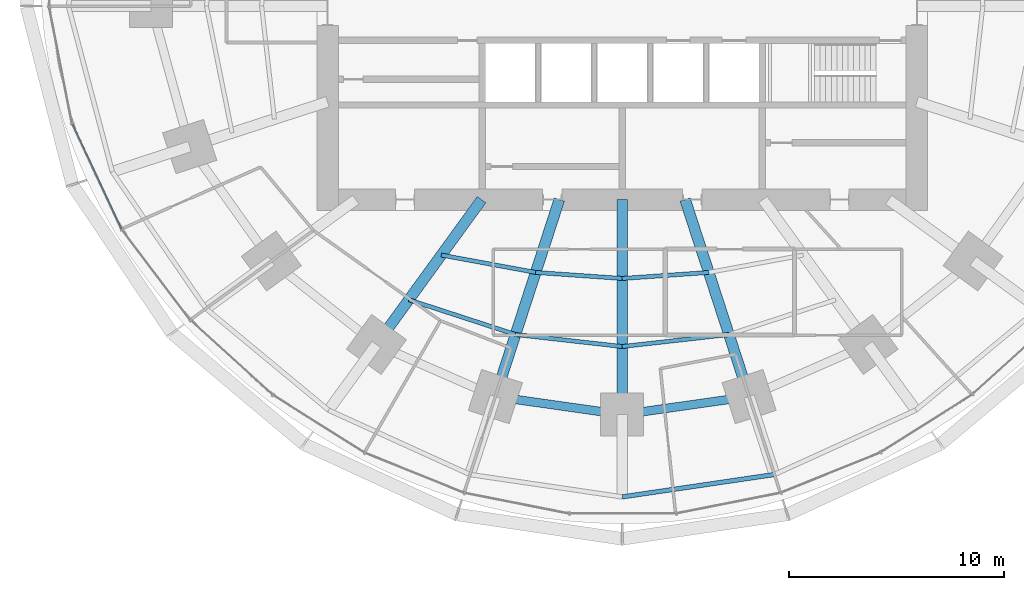
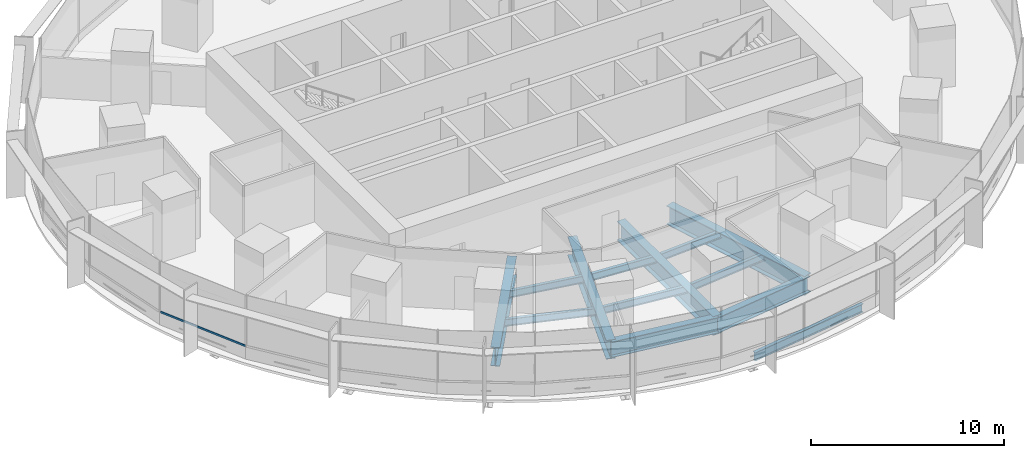
# One storey, part 3 of 15: 13 beams, 1 member, 1 element without a shape of its own.
"""IFC4 building model written with IfcOpenShell, lengths in metres."""

from ifc_helpers import new_model, si_unit, direction, frame, origin, origin_2d, place, context, subcontext, project, spatial, rectangle, i_section, extrude, material, material_profile, profile_set, type_object, element, aggregate, save


model = new_model("IFC4")

# Units and contexts
model_context = context("Model", 3, precision=1e-05, world=origin(), true_north=direction((0.0, 1.0)))
body_context = subcontext(model_context, "Body", "Model", "MODEL_VIEW")
ifc_project = project(units=[si_unit("LENGTHUNIT", "METRE"), si_unit("AREAUNIT", "SQUARE_METRE"), si_unit("VOLUMEUNIT", "CUBIC_METRE"), si_unit("PLANEANGLEUNIT", "RADIAN"), si_unit("MASSUNIT", "GRAM", prefix="KILO")], contexts=[model_context])

# Site, building, storey
site_placement = place(None, origin())
site = spatial("IfcSite", under=ifc_project, at=site_placement, CompositionType="ELEMENT")
building_placement = place(site_placement, origin())
building = spatial("IfcBuilding", under=site, at=building_placement, Name="Marramba Exchange Tower", CompositionType="ELEMENT")
storey_placement = place(building_placement, frame((0.0, 0.0, 61.60009765625)))
storey = spatial("IfcBuildingStorey", under=building, at=storey_placement, Name="L14", CompositionType="ELEMENT", Elevation=61.60009765625)

# Beams
ifc_material_1 = material(Name="Steel AS/NZS 3679.1 grade 300", Category="steel")
ifc_material_profile_1 = material_profile(ifc_material_1, i_section(OverallWidth=0.18994140625, OverallDepth=0.4541015625, WebThickness=0.008544921875, FlangeThickness=0.0126953125, FilletRadius=0.011474609375, at=origin_2d()), Name="460UB67.1")
ifc_profile_set_1 = profile_set([ifc_material_profile_1], Name="Steel AS/NZS 3679.1 grade 300")
beam_type_1 = type_object("IfcBeamType", Name="Floor joist 460UB67.1", PredefinedType="JOIST", material=ifc_profile_set_1)
beam_1_placement = place(storey_placement, frame((-8.41162109375, -11.57763671875, -0.38720703125), z_axis=(0.983455754421, -0.181148500119, 0.0), x_axis=(0.181148500119, 0.983455754421, 0.0)))
element("IfcBeam", 1, at=beam_1_placement, inside=storey, type_object=beam_type_1, Name="Joist L14 bay 14 row 1", PredefinedType="JOIST", context=body_context, shape_type="SweptSolid", body=[
    extrude(i_section(OverallWidth=0.18994140625, OverallDepth=0.4541015625, WebThickness=0.008544921875, FlangeThickness=0.0126953125, FilletRadius=0.011474609375, at=origin_2d()), origin(), (0.0, 0.0, 1.0), 4.4609375),
])
beam_2_placement = place(storey_placement, frame((-9.9208984375, -13.655029296875, -0.38720703125), z_axis=(0.950764024931, -0.309915744834, 0.0), x_axis=(0.309915744834, 0.950764024931, 0.0)))
element("IfcBeam", 2, at=beam_2_placement, inside=storey, type_object=beam_type_1, Name="Joist L14 bay 14 row 2", PredefinedType="JOIST", context=body_context, shape_type="SweptSolid", body=[
    extrude(i_section(OverallWidth=0.18994140625, OverallDepth=0.4541015625, WebThickness=0.008544921875, FlangeThickness=0.0126953125, FilletRadius=0.011474609375, at=origin_2d()), origin(), (0.0, 0.0, 1.0), 5.2158203125),
])
beam_3_placement = place(storey_placement, frame((-4.0244140625, -12.3857421875, -0.38720703125), z_axis=(0.99759625901, -0.069294328838, 0.0), x_axis=(0.069294328838, 0.99759625901, 0.0)))
element("IfcBeam", 3, at=beam_3_placement, inside=storey, type_object=beam_type_1, Name="Joist L14 bay 15 row 1", PredefinedType="JOIST", context=body_context, shape_type="SweptSolid", body=[
    extrude(i_section(OverallWidth=0.18994140625, OverallDepth=0.4541015625, WebThickness=0.008544921875, FlangeThickness=0.0126953125, FilletRadius=0.011474609375, at=origin_2d()), origin(), (0.0, 0.0, 1.0), 4.0341796875),
])
beam_4_placement = place(storey_placement, frame((-4.9619140625, -15.271484375, -0.38720703125), z_axis=(0.993712018573, -0.111966174106, 0.0), x_axis=(0.111966174106, 0.993712018573, 0.0)))
element("IfcBeam", 4, at=beam_4_placement, inside=storey, type_object=beam_type_1, Name="Joist L14 bay 15 row 2", PredefinedType="JOIST", context=body_context, shape_type="SweptSolid", body=[
    extrude(i_section(OverallWidth=0.18994140625, OverallDepth=0.4541015625, WebThickness=0.008544921875, FlangeThickness=0.0126953125, FilletRadius=0.011474609375, at=origin_2d()), origin(), (0.0, 0.0, 1.0), 4.993408203125),
])
beam_5_placement = place(storey_placement, frame((0.0, -12.665283203125, -0.38720703125), z_axis=(0.99759625901, 0.069294328838, 0.0), x_axis=(-0.069294328838, 0.99759625901, 0.0)))
element("IfcBeam", 5, at=beam_5_placement, inside=storey, type_object=beam_type_1, Name="Joist L14 bay 16 row 1", PredefinedType="JOIST", context=body_context, shape_type="SweptSolid", body=[
    extrude(i_section(OverallWidth=0.18994140625, OverallDepth=0.4541015625, WebThickness=0.008544921875, FlangeThickness=0.0126953125, FilletRadius=0.011474609375, at=origin_2d()), origin(), (0.0, 0.0, 1.0), 4.0341796875),
])
beam_6_placement = place(storey_placement, frame((0.0, -15.83056640625, -0.38720703125), z_axis=(0.993712018573, 0.111966174106, 0.0), x_axis=(-0.111966174106, 0.993712018573, 0.0)))
element("IfcBeam", 6, at=beam_6_placement, inside=storey, type_object=beam_type_1, Name="Joist L14 bay 16 row 2", PredefinedType="JOIST", context=body_context, shape_type="SweptSolid", body=[
    extrude(i_section(OverallWidth=0.18994140625, OverallDepth=0.4541015625, WebThickness=0.008544921875, FlangeThickness=0.0126953125, FilletRadius=0.011474609375, at=origin_2d()), origin(), (0.0, 0.0, 1.0), 4.993408203125),
])
ifc_material_2 = material(Name="Steel AS/NZS 3679.2 grade 300", Category="steel")
ifc_material_profile_2 = material_profile(ifc_material_2, i_section(OverallWidth=0.5, OverallDepth=1.199951171875, WebThickness=0.01611328125, FlangeThickness=0.0400390625, at=origin_2d()), Name="1200WB455")
ifc_profile_set_2 = profile_set([ifc_material_profile_2], Name="Steel AS/NZS 3679.2 grade 300")
beam_type_2 = type_object("IfcBeamType", Name="Radial girder 1200WB455", PredefinedType="BEAM", material=ifc_profile_set_2)
beam_7_placement = place(storey_placement, frame((-6.538818359375, -9.0, -0.760009765625), z_axis=(-0.587787877172, -0.809015087282, 0.0), x_axis=(0.809015087282, -0.587787877172, 0.0)))
element("IfcBeam", 7, at=beam_7_placement, inside=storey, type_object=beam_type_2, Name="Radial girder L14 TC14", PredefinedType="BEAM", context=body_context, shape_type="SweptSolid", body=[
    extrude(i_section(OverallWidth=0.5, OverallDepth=1.199951171875, WebThickness=0.01611328125, FlangeThickness=0.0400390625, at=origin_2d()), origin(), (0.0, 0.0, 1.0), 8.322021484375),
])
beam_8_placement = place(storey_placement, frame((-2.92431640625, -9.0, -0.760009765625), z_axis=(-0.309022428985, -0.951054750466, 0.0), x_axis=(0.951054750466, -0.309022428985, 0.0)))
element("IfcBeam", 8, at=beam_8_placement, inside=storey, type_object=beam_type_2, Name="Radial girder L14 TC15", PredefinedType="BEAM", context=body_context, shape_type="SweptSolid", body=[
    extrude(i_section(OverallWidth=0.5, OverallDepth=1.199951171875, WebThickness=0.01611328125, FlangeThickness=0.0400390625, at=origin_2d()), origin(), (0.0, 0.0, 1.0), 9.628173828125),
])
beam_9_placement = place(storey_placement, frame((0.0, -9.0, -0.760009765625), z_axis=(0.0, -1.0, 0.0), x_axis=(1.0, 0.0, 0.0)))
element("IfcBeam", 9, at=beam_9_placement, inside=storey, type_object=beam_type_2, Name="Radial girder L14 TC16", PredefinedType="BEAM", context=body_context, shape_type="SweptSolid", body=[
    extrude(i_section(OverallWidth=0.5, OverallDepth=1.199951171875, WebThickness=0.01611328125, FlangeThickness=0.0400390625, at=origin_2d()), origin(), (0.0, 0.0, 1.0), 9.99609375),
])
beam_10_placement = place(storey_placement, frame((2.92431640625, -9.0, -0.760009765625), z_axis=(0.309022428985, -0.951054750466, 0.0), x_axis=(0.951054750466, 0.309022428985, 0.0)))
element("IfcBeam", 10, at=beam_10_placement, inside=storey, type_object=beam_type_2, Name="Radial girder L14 TC17", PredefinedType="BEAM", context=body_context, shape_type="SweptSolid", body=[
    extrude(i_section(OverallWidth=0.5, OverallDepth=1.199951171875, WebThickness=0.01611328125, FlangeThickness=0.0400390625, at=origin_2d()), origin(), (0.0, 0.0, 1.0), 9.628173828125),
])
ifc_material_profile_3 = material_profile(ifc_material_2, i_section(OverallWidth=0.39990234375, OverallDepth=1.0, WebThickness=0.01611328125, FlangeThickness=0.031982421875, at=origin_2d()), Name="1000WB322")
ifc_profile_set_3 = profile_set([ifc_material_profile_3], Name="Steel AS/NZS 3679.2 grade 300")
beam_type_3 = type_object("IfcBeamType", Name="Ring beam 1000WB322", PredefinedType="SPANDREL", material=ifc_profile_set_3)
for number, where, z_axis, x_axis, name in (
    (11, (-5.899658203125, -18.156982421875, -0.66015625), (0.990036163016, -0.140813337152, 0.0), (0.140813337152, 0.990036163016, 0.0), "Ring beam L14 TC15-TC16"),
    (12, (0.0, -18.99609375, -0.66015625), (0.990036163016, 0.140813337152, 0.0), (-0.140813337152, 0.990036163016, 0.0), "Ring beam L14 TC16-TC17"),
):
    element("IfcBeam", number, at=place(storey_placement, frame(where, z_axis=z_axis, x_axis=x_axis)), inside=storey, type_object=beam_type_3, Name=name, PredefinedType="SPANDREL", context=body_context, shape_type="SweptSolid", body=[
        extrude(i_section(OverallWidth=0.39990234375, OverallDepth=1.0, WebThickness=0.01611328125, FlangeThickness=0.031982421875, at=origin_2d()), origin(), (0.0, 0.0, 1.0), 5.958984375),
    ])
ifc_material_profile_4 = material_profile(ifc_material_1, i_section(OverallWidth=0.208984375, OverallDepth=0.528076171875, WebThickness=0.009521484375, FlangeThickness=0.01318359375, FilletRadius=0.013916015625, at=origin_2d()), Name="530UB82.0")
ifc_profile_set_4 = profile_set([ifc_material_profile_4], Name="Steel AS/NZS 3679.1 grade 300")
beam_type_4 = type_object("IfcBeamType", Name="Slab edge beam 530UB82.0", PredefinedType="SPANDREL", material=ifc_profile_set_4)
beam_11_placement = place(storey_placement, frame((0.0, -22.822021484375, -0.424072265625), z_axis=(0.989338462178, 0.145634498848, 0.0), x_axis=(-0.145634498848, 0.989338462178, 0.0)))
element("IfcBeam", 13, at=beam_11_placement, inside=storey, type_object=beam_type_4, Name="Slab edge beam L14 TC16-TC17", PredefinedType="SPANDREL", context=body_context, shape_type="SweptSolid", body=[
    extrude(i_section(OverallWidth=0.208984375, OverallDepth=0.528076171875, WebThickness=0.009521484375, FlangeThickness=0.01318359375, FilletRadius=0.013916015625, at=origin_2d()), origin(), (0.0, 0.0, 1.0), 7.153076171875),
])

# Curtain wall, member
ifc_material_3 = material(Name="Aluminium framing, bronze anodised", Category="aluminium")
curtain_wall_type = type_object("IfcCurtainWallType", Name="Trading floor ribbon curtain wall", PredefinedType="USERDEFINED", material=ifc_material_3)
curtain_wall_placement = place(storey_placement, origin())
curtain_wall = element("IfcCurtainWall", 14, at=curtain_wall_placement, inside=storey, type_object=curtain_wall_type, Name="Curtain wall CW3 L14 F16-F20", ObjectType="RIBBON CURTAIN WALL", PredefinedType="USERDEFINED")
ifc_material_4 = material(Name="Aluminium transom, bronze anodised", Category="aluminium")
ifc_material_profile_5 = material_profile(ifc_material_4, rectangle(XDim=0.06005859375, YDim=0.1201171875, at=origin_2d()), Name="CW3 transom 60x120")
ifc_profile_set_5 = profile_set([ifc_material_profile_5], Name="Aluminium transom, bronze anodised")
member_type = type_object("IfcMemberType", Name="Trading floor ribbon curtain wall transom", PredefinedType="USERDEFINED", material=ifc_profile_set_5)
member_placement = place(storey_placement, frame((-25.559326171875, -5.492431640625, 0.829833984375), z_axis=(0.423494101671, -0.905898860718, 0.0), x_axis=(0.905898860718, 0.423494101671, 0.0)))
member = element("IfcMember", 15, at=member_placement, type_object=member_type, Name="CW3 sill transom", ObjectType="TRANSOM", PredefinedType="USERDEFINED", context=body_context, shape_type="SweptSolid", body=[
    extrude(rectangle(XDim=0.06005859375, YDim=0.1201171875, at=origin_2d()), origin(), (0.0, 0.0, 1.0), 5.379150390625),
])
aggregate(curtain_wall, [member])

save(model, "model.ifc")
